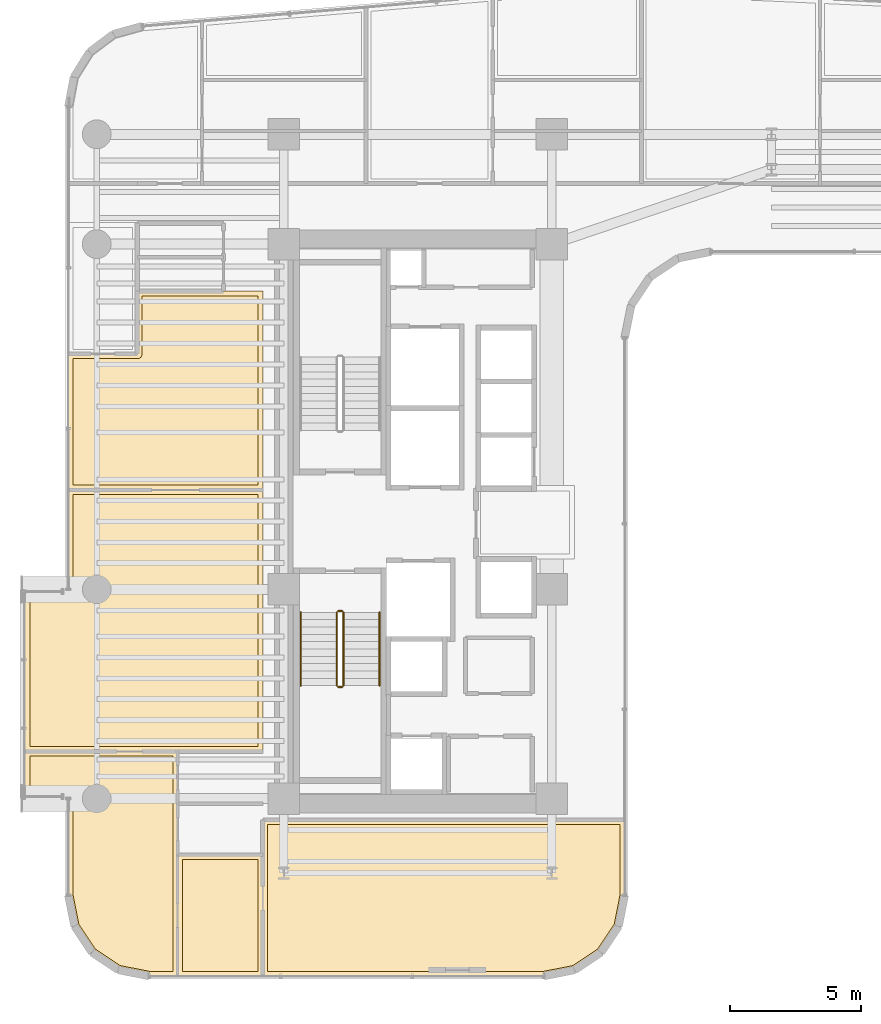
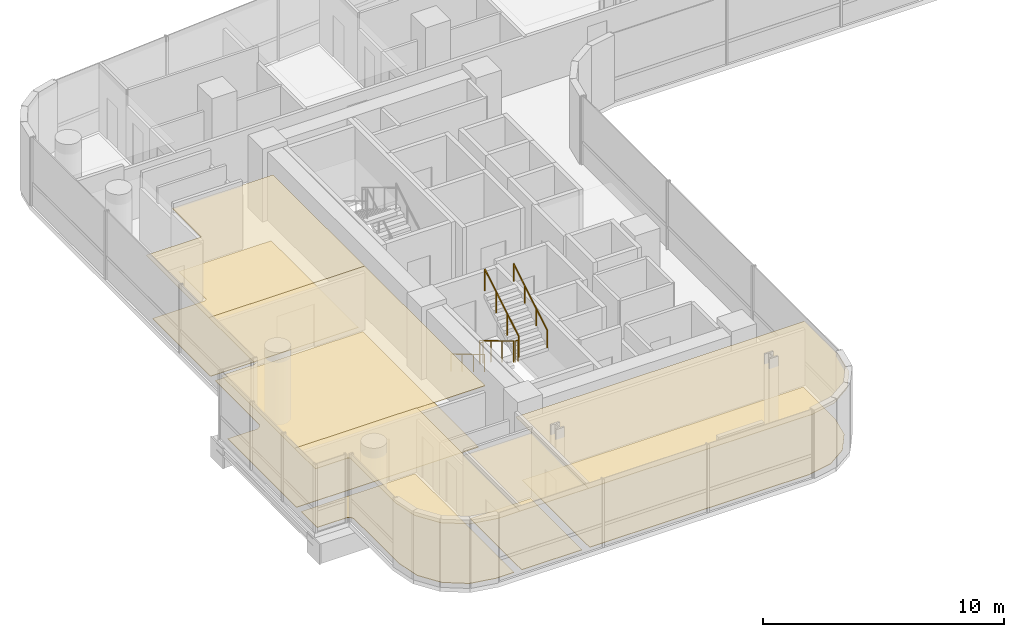
# One storey, part 33 of 37: 10 coverings, 6 railings.
"""IFC4 building model written with IfcOpenShell, lengths in metres."""

from ifc_helpers import new_model, si_unit, direction, frame, origin, origin_2d, place, context, subcontext, project, spatial, polyline, circle, outline, extrude, material, layer, layer_set, type_object, element, save


model = new_model("IFC4")

# Units and contexts
model_context = context("Model", 3, precision=1e-05, world=origin(), true_north=direction((0.0, 1.0)))
body_context = subcontext(model_context, "Body", "Model", "MODEL_VIEW")
ifc_project = project(units=[si_unit("LENGTHUNIT", "METRE"), si_unit("AREAUNIT", "SQUARE_METRE"), si_unit("VOLUMEUNIT", "CUBIC_METRE"), si_unit("PLANEANGLEUNIT", "RADIAN"), si_unit("MASSUNIT", "GRAM", prefix="KILO")], contexts=[model_context])

# Site, building, storey
site_placement = place(None, origin())
site = spatial("IfcSite", under=ifc_project, at=site_placement, CompositionType="ELEMENT")
building_placement = place(site_placement, origin())
building = spatial("IfcBuilding", under=site, at=building_placement, Name="Valdorenza Pilgrim Sanctuary Tower", CompositionType="ELEMENT")
storey_placement = place(building_placement, frame((0.0, 0.0, 127.89990234375)))
storey = spatial("IfcBuildingStorey", under=building, at=storey_placement, Name="L32", CompositionType="ELEMENT", Elevation=127.89990234375)

# Coverings
ifc_material_1 = material(Name="Micro-perforated acoustic mineral ceiling tile", Category="gypsum")
ifc_layer_1 = layer(ifc_material_1, 0.02490234375, Name="Micro-perforated acoustic mineral ceiling tile")
ifc_layer_set_1 = layer_set([ifc_layer_1], Name="Micro-perforated acoustic mineral ceiling tile")
covering_type_1 = type_object("IfcCoveringType", Name="COV-CLG-ACU", PredefinedType="CEILING", material=ifc_layer_set_1)
covering_1_placement = place(storey_placement, frame((0.0, 0.0, 3.16015625)))
element("IfcCovering", 1, at=covering_1_placement, inside=storey, type_object=covering_type_1, Name="L32 Sanctuary Apartment L32-CS1 Bedroom Acoustic Ceiling", PredefinedType="CEILING", context=body_context, shape_type="SweptSolid", body=[
    extrude(outline(polyline([(-26.7236328125, -12.75), (-26.723388671875, -12.74853515625), (-26.723388671875, -12.7470703125), (-26.722900390625, -12.74560546875), (-26.722412109375, -12.744384765625), (-26.7216796875, -12.742919921875), (-26.72119140625, -12.74169921875), (-26.72021484375, -12.740478515625), (-26.71923828125, -12.739501953125), (-26.718017578125, -12.73828125), (-26.716796875, -12.737548828125), (-26.7158203125, -12.73681640625), (-26.71435546875, -12.736083984375), (-26.712890625, -12.735595703125), (-26.71142578125, -12.7353515625), (-26.710205078125, -12.735107421875), (-26.70849609375, -12.735107421875), (-23.449951171875, -12.735107421875), (-23.448486328125, -12.735107421875), (-23.447021484375, -12.7353515625), (-23.445556640625, -12.735595703125), (-23.4443359375, -12.736083984375), (-23.44287109375, -12.73681640625), (-23.441650390625, -12.737548828125), (-23.4404296875, -12.73828125), (-23.439453125, -12.739501953125), (-23.4384765625, -12.740478515625), (-23.4375, -12.74169921875), (-23.436767578125, -12.742919921875), (-23.43603515625, -12.744384765625), (-23.435546875, -12.74560546875), (-23.435302734375, -12.7470703125), (-23.43505859375, -12.74853515625), (-23.43505859375, -12.75), (-23.43505859375, -17.389892578125), (-23.43505859375, -17.3916015625), (-23.435302734375, -17.392822265625), (-23.435546875, -17.394287109375), (-23.43603515625, -17.395751953125), (-23.436767578125, -17.397216796875), (-23.4375, -17.398193359375), (-23.4384765625, -17.3994140625), (-23.439453125, -17.400634765625), (-23.4404296875, -17.401611328125), (-23.441650390625, -17.402587890625), (-23.44287109375, -17.4033203125), (-23.4443359375, -17.40380859375), (-23.445556640625, -17.404296875), (-23.447021484375, -17.40478515625), (-23.448486328125, -17.40478515625), (-23.449951171875, -17.405029296875), (-26.70849609375, -17.405029296875), (-26.710205078125, -17.40478515625), (-26.71142578125, -17.40478515625), (-26.712890625, -17.404296875), (-26.71435546875, -17.40380859375), (-26.7158203125, -17.4033203125), (-26.716796875, -17.402587890625), (-26.718017578125, -17.401611328125), (-26.71923828125, -17.400634765625), (-26.72021484375, -17.3994140625), (-26.72119140625, -17.398193359375), (-26.7216796875, -17.397216796875), (-26.722412109375, -17.395751953125), (-26.722900390625, -17.394287109375), (-26.723388671875, -17.392822265625), (-26.723388671875, -17.3916015625), (-26.7236328125, -17.389892578125), (-26.7236328125, -12.75)])), origin(), (0.0, 0.0, 1.0), 0.02490234375),
])
covering_2_placement = place(storey_placement, frame((0.0, 0.0, 3.16015625)))
element("IfcCovering", 2, at=covering_2_placement, inside=storey, type_object=covering_type_1, Name="L32 Sanctuary Apartment L32-CS1 Living Room Acoustic Ceiling", PredefinedType="CEILING", context=body_context, shape_type="SweptSolid", body=[
    extrude(outline(polyline([(-28.984619140625, -17.16748046875), (-28.986083984375, -17.1669921875), (-28.9873046875, -17.16650390625), (-28.98876953125, -17.166015625), (-28.989990234375, -17.165283203125), (-29.99169921875, -16.495849609375), (-29.992919921875, -16.4951171875), (-29.993896484375, -16.493896484375), (-29.9951171875, -16.492919921875), (-29.995849609375, -16.49169921875), (-30.665283203125, -15.489990234375), (-30.666015625, -15.48876953125), (-30.66650390625, -15.4873046875), (-30.6669921875, -15.486083984375), (-30.66748046875, -15.484619140625), (-30.90478515625, -14.2919921875), (-30.90478515625, -14.29052734375), (-30.905029296875, -14.289306640625), (-30.905029296875, -10.600341796875), (-30.905517578125, -10.5908203125), (-30.90673828125, -10.58154296875), (-30.9091796875, -10.572509765625), (-30.912109375, -10.563720703125), (-30.916259765625, -10.55517578125), (-30.9208984375, -10.547119140625), (-30.926513671875, -10.539794921875), (-30.932861328125, -10.53271484375), (-30.939697265625, -10.526611328125), (-30.947265625, -10.52099609375), (-30.955078125, -10.51611328125), (-30.963623046875, -10.51220703125), (-30.972412109375, -10.509033203125), (-30.9814453125, -10.5068359375), (-30.99072265625, -10.505615234375), (-31.00048828125, -10.5048828125), (-32.5400390625, -10.5048828125), (-32.54150390625, -10.5048828125), (-32.54296875, -10.504638671875), (-32.54443359375, -10.50439453125), (-32.545654296875, -10.50390625), (-32.547119140625, -10.503173828125), (-32.54833984375, -10.50244140625), (-32.549560546875, -10.501708984375), (-32.550537109375, -10.50048828125), (-32.551513671875, -10.49951171875), (-32.552490234375, -10.498291015625), (-32.55322265625, -10.4970703125), (-32.553955078125, -10.49560546875), (-32.554443359375, -10.494384765625), (-32.5546875, -10.492919921875), (-32.554931640625, -10.491455078125), (-32.554931640625, -10.489990234375), (-32.554931640625, -8.800048828125), (-32.554931640625, -8.798583984375), (-32.5546875, -8.797119140625), (-32.554443359375, -8.795654296875), (-32.553955078125, -8.794189453125), (-32.55322265625, -8.79296875), (-32.552490234375, -8.791748046875), (-32.551513671875, -8.79052734375), (-32.550537109375, -8.789306640625), (-32.549560546875, -8.788330078125), (-32.54833984375, -8.78759765625), (-32.547119140625, -8.786865234375), (-32.545654296875, -8.7861328125), (-32.54443359375, -8.78564453125), (-32.54296875, -8.785400390625), (-32.54150390625, -8.78515625), (-32.5400390625, -8.784912109375), (-26.70849609375, -8.784912109375), (-26.70703125, -8.78515625), (-26.705810546875, -8.785400390625), (-26.7041015625, -8.78564453125), (-26.702880859375, -8.7861328125), (-26.701416015625, -8.786865234375), (-26.7001953125, -8.78759765625), (-26.69921875, -8.788330078125), (-26.697998046875, -8.789306640625), (-26.697021484375, -8.79052734375), (-26.696044921875, -8.791748046875), (-26.6953125, -8.79296875), (-26.694580078125, -8.794189453125), (-26.694091796875, -8.795654296875), (-26.69384765625, -8.797119140625), (-26.693603515625, -8.798583984375), (-26.693603515625, -8.800048828125), (-26.693603515625, -12.748046875), (-26.693603515625, -12.74951171875), (-26.69384765625, -12.7509765625), (-26.6943359375, -12.75244140625), (-26.69482421875, -12.75390625), (-26.695556640625, -12.75537109375), (-26.695556640625, -12.755615234375), (-26.695556640625, -17.389892578125), (-26.69580078125, -17.3916015625), (-26.69580078125, -17.392822265625), (-26.6962890625, -17.394287109375), (-26.69677734375, -17.395751953125), (-26.697509765625, -17.397216796875), (-26.697998046875, -17.398193359375), (-26.698974609375, -17.3994140625), (-26.699951171875, -17.400634765625), (-26.701171875, -17.401611328125), (-26.702392578125, -17.402587890625), (-26.70361328125, -17.4033203125), (-26.704833984375, -17.40380859375), (-26.706298828125, -17.404296875), (-26.707763671875, -17.40478515625), (-26.708984375, -17.40478515625), (-26.710693359375, -17.405029296875), (-27.789306640625, -17.405029296875), (-27.79052734375, -17.40478515625), (-27.7919921875, -17.40478515625), (-28.984619140625, -17.16748046875)])), origin(), (0.0, 0.0, 1.0), 0.02490234375),
])
covering_3_placement = place(storey_placement, frame((0.0, 0.0, 3.16015625)))
element("IfcCovering", 3, at=covering_3_placement, inside=storey, type_object=covering_type_1, Name="L32 South Contemplation Salon L32 Acoustic Ceiling", PredefinedType="CEILING", context=body_context, shape_type="SweptSolid", body=[
    extrude(outline(polyline([(-26.71044921875, -8.81298828125), (-32.5400390625, -8.81298828125), (-32.54150390625, -8.81298828125), (-32.54296875, -8.812744140625), (-32.54443359375, -8.8125), (-32.545654296875, -8.81201171875), (-32.547119140625, -8.811279296875), (-32.54833984375, -8.810546875), (-32.549560546875, -8.8095703125), (-32.550537109375, -8.80859375), (-32.551513671875, -8.8076171875), (-32.552490234375, -8.806396484375), (-32.55322265625, -8.80517578125), (-32.553955078125, -8.8037109375), (-32.554443359375, -8.802490234375), (-32.5546875, -8.80078125), (-32.554931640625, -8.799560546875), (-32.554931640625, -8.798095703125), (-32.554931640625, -2.7099609375), (-32.554931640625, -2.70849609375), (-32.5546875, -2.70703125), (-32.554443359375, -2.70556640625), (-32.553955078125, -2.704345703125), (-32.55322265625, -2.702880859375), (-32.552490234375, -2.70166015625), (-32.551513671875, -2.700439453125), (-32.550537109375, -2.699462890625), (-32.549560546875, -2.698486328125), (-32.54833984375, -2.697509765625), (-32.547119140625, -2.69677734375), (-32.545654296875, -2.696044921875), (-32.54443359375, -2.695556640625), (-32.54296875, -2.6953125), (-32.54150390625, -2.695068359375), (-32.5400390625, -2.695068359375), (-31.00048828125, -2.695068359375), (-30.99072265625, -2.694580078125), (-30.9814453125, -2.693115234375), (-30.972412109375, -2.69091796875), (-30.963623046875, -2.687744140625), (-30.955078125, -2.683837890625), (-30.947265625, -2.678955078125), (-30.939697265625, -2.67333984375), (-30.932861328125, -2.667236328125), (-30.926513671875, -2.660400390625), (-30.9208984375, -2.65283203125), (-30.916259765625, -2.644775390625), (-30.912109375, -2.63623046875), (-30.9091796875, -2.627685546875), (-30.90673828125, -2.618408203125), (-30.905517578125, -2.609375), (-30.905029296875, -2.599609375), (-30.905029296875, 1.199951171875), (-30.90478515625, 1.201416015625), (-30.90478515625, 1.202880859375), (-30.904296875, 1.204345703125), (-30.90380859375, 1.205810546875), (-30.9033203125, 1.20703125), (-30.902587890625, 1.208251953125), (-30.901611328125, 1.20947265625), (-30.900634765625, 1.210693359375), (-30.8994140625, 1.211669921875), (-30.898193359375, 1.21240234375), (-30.897216796875, 1.213134765625), (-30.895751953125, 1.2138671875), (-30.894287109375, 1.21435546875), (-30.892822265625, 1.214599609375), (-30.8916015625, 1.21484375), (-30.889892578125, 1.215087890625), (-23.449951171875, 1.215087890625), (-23.448486328125, 1.21484375), (-23.447021484375, 1.214599609375), (-23.445556640625, 1.21435546875), (-23.4443359375, 1.2138671875), (-23.44287109375, 1.213134765625), (-23.441650390625, 1.21240234375), (-23.4404296875, 1.211669921875), (-23.439453125, 1.210693359375), (-23.4384765625, 1.20947265625), (-23.4375, 1.208251953125), (-23.436767578125, 1.20703125), (-23.43603515625, 1.205810546875), (-23.435546875, 1.204345703125), (-23.435302734375, 1.202880859375), (-23.43505859375, 1.201416015625), (-23.43505859375, 1.199951171875), (-23.43505859375, -8.798095703125), (-23.43505859375, -8.799560546875), (-23.435302734375, -8.80078125), (-23.435546875, -8.802490234375), (-23.43603515625, -8.8037109375), (-23.436767578125, -8.80517578125), (-23.4375, -8.806396484375), (-23.4384765625, -8.8076171875), (-23.439453125, -8.80859375), (-23.4404296875, -8.8095703125), (-23.441650390625, -8.810546875), (-23.44287109375, -8.811279296875), (-23.4443359375, -8.81201171875), (-23.445556640625, -8.8125), (-23.447021484375, -8.812744140625), (-23.448486328125, -8.81298828125), (-23.449951171875, -8.81298828125), (-26.704833984375, -8.81298828125), (-26.70556640625, -8.81298828125), (-26.70703125, -8.813232421875), (-26.70849609375, -8.813232421875), (-26.710205078125, -8.81298828125), (-26.71044921875, -8.81298828125)])), origin(), (0.0, 0.0, 1.0), 0.02490234375),
])
covering_4_placement = place(storey_placement, frame((0.0, 0.0, 3.16015625)))
element("IfcCovering", 4, at=covering_4_placement, inside=storey, type_object=covering_type_1, Name="L32 North Contemplation Salon L32 Acoustic Ceiling", PredefinedType="CEILING", context=body_context, shape_type="SweptSolid", body=[
    extrude(outline(polyline([(-28.262939453125, 6.4130859375), (-28.262939453125, 8.798095703125), (-28.262939453125, 8.799560546875), (-28.2626953125, 8.80078125), (-28.262451171875, 8.802490234375), (-28.261962890625, 8.8037109375), (-28.26123046875, 8.80517578125), (-28.260498046875, 8.806396484375), (-28.259521484375, 8.8076171875), (-28.258544921875, 8.80859375), (-28.257568359375, 8.8095703125), (-28.25634765625, 8.810546875), (-28.255126953125, 8.811279296875), (-28.253662109375, 8.81201171875), (-28.25244140625, 8.8125), (-28.2509765625, 8.812744140625), (-28.24951171875, 8.81298828125), (-28.248046875, 8.81298828125), (-24.955322265625, 8.81298828125), (-24.954833984375, 8.813232421875), (-24.95361328125, 8.81396484375), (-24.9521484375, 8.814453125), (-24.95068359375, 8.814697265625), (-24.949462890625, 8.81494140625), (-24.947998046875, 8.81494140625), (-23.449951171875, 8.81494140625), (-23.448486328125, 8.81494140625), (-23.447021484375, 8.814697265625), (-23.445556640625, 8.814453125), (-23.4443359375, 8.81396484375), (-23.44287109375, 8.813232421875), (-23.441650390625, 8.8125), (-23.4404296875, 8.8115234375), (-23.439453125, 8.810546875), (-23.4384765625, 8.8095703125), (-23.4375, 8.808349609375), (-23.436767578125, 8.80712890625), (-23.43603515625, 8.8056640625), (-23.435546875, 8.804443359375), (-23.435302734375, 8.802978515625), (-23.43505859375, 8.801513671875), (-23.43505859375, 8.800048828125), (-23.43505859375, 1.201904296875), (-23.43505859375, 1.200439453125), (-23.435302734375, 1.19921875), (-23.435546875, 1.197509765625), (-23.43603515625, 1.1962890625), (-23.436767578125, 1.19482421875), (-23.4375, 1.193603515625), (-23.4384765625, 1.1923828125), (-23.439453125, 1.19140625), (-23.4404296875, 1.1904296875), (-23.441650390625, 1.189453125), (-23.44287109375, 1.188720703125), (-23.4443359375, 1.18798828125), (-23.445556640625, 1.1875), (-23.447021484375, 1.187255859375), (-23.448486328125, 1.18701171875), (-23.449951171875, 1.18701171875), (-30.889892578125, 1.18701171875), (-30.8916015625, 1.18701171875), (-30.892822265625, 1.187255859375), (-30.894287109375, 1.1875), (-30.895751953125, 1.18798828125), (-30.897216796875, 1.188720703125), (-30.898193359375, 1.189453125), (-30.8994140625, 1.1904296875), (-30.900634765625, 1.19140625), (-30.901611328125, 1.1923828125), (-30.902587890625, 1.193603515625), (-30.9033203125, 1.19482421875), (-30.90380859375, 1.1962890625), (-30.904296875, 1.197509765625), (-30.90478515625, 1.19921875), (-30.90478515625, 1.200439453125), (-30.905029296875, 1.201904296875), (-30.905029296875, 6.39794921875), (-30.90478515625, 6.3994140625), (-30.90478515625, 6.40087890625), (-30.904296875, 6.40234375), (-30.90380859375, 6.40380859375), (-30.9033203125, 6.405029296875), (-30.902587890625, 6.40625), (-30.901611328125, 6.407470703125), (-30.900634765625, 6.40869140625), (-30.8994140625, 6.40966796875), (-30.898193359375, 6.410400390625), (-30.897216796875, 6.4111328125), (-30.895751953125, 6.411865234375), (-30.894287109375, 6.412353515625), (-30.892822265625, 6.41259765625), (-30.8916015625, 6.412841796875), (-30.889892578125, 6.4130859375), (-28.262939453125, 6.4130859375)])), origin(), (0.0, 0.0, 1.0), 0.02490234375),
])
covering_5_placement = place(storey_placement, frame((0.0, 0.0, 3.16015625)))
element("IfcCovering", 5, at=covering_5_placement, inside=storey, type_object=covering_type_1, Name="L32 South Panoramic Viewing Salon L32 Acoustic Ceiling", PredefinedType="CEILING", context=body_context, shape_type="SweptSolid", body=[
    extrude(outline(polyline([(-23.462890625, -12.751708984375), (-23.463134765625, -12.751220703125), (-23.46337890625, -12.74951171875), (-23.463134765625, -12.748046875), (-23.463134765625, -12.74658203125), (-23.462890625, -12.74609375), (-23.462890625, -11.419921875), (-23.462890625, -11.41845703125), (-23.462646484375, -11.4169921875), (-23.46240234375, -11.41552734375), (-23.4619140625, -11.414306640625), (-23.461181640625, -11.412841796875), (-23.46044921875, -11.41162109375), (-23.459716796875, -11.410400390625), (-23.45849609375, -11.409423828125), (-23.45751953125, -11.408447265625), (-23.456298828125, -11.407470703125), (-23.455078125, -11.40673828125), (-23.45361328125, -11.406005859375), (-23.452392578125, -11.405517578125), (-23.450927734375, -11.4052734375), (-23.449462890625, -11.405029296875), (-23.447998046875, -11.405029296875), (-9.610107421875, -11.405029296875), (-9.6083984375, -11.405029296875), (-9.607177734375, -11.4052734375), (-9.605712890625, -11.405517578125), (-9.604248046875, -11.406005859375), (-9.602783203125, -11.40673828125), (-9.601806640625, -11.407470703125), (-9.6005859375, -11.408447265625), (-9.599365234375, -11.409423828125), (-9.598388671875, -11.410400390625), (-9.597412109375, -11.41162109375), (-9.5966796875, -11.412841796875), (-9.59619140625, -11.414306640625), (-9.595703125, -11.41552734375), (-9.59521484375, -11.4169921875), (-9.59521484375, -11.41845703125), (-9.594970703125, -11.419921875), (-9.594970703125, -14.289306640625), (-9.59521484375, -14.29052734375), (-9.59521484375, -14.2919921875), (-9.83251953125, -15.484619140625), (-9.8330078125, -15.486083984375), (-9.83349609375, -15.4873046875), (-9.833984375, -15.48876953125), (-9.834716796875, -15.489990234375), (-10.504150390625, -16.49169921875), (-10.5048828125, -16.492919921875), (-10.506103515625, -16.493896484375), (-10.507080078125, -16.4951171875), (-10.50830078125, -16.495849609375), (-11.510009765625, -17.165283203125), (-11.51123046875, -17.166015625), (-11.5126953125, -17.16650390625), (-11.513916015625, -17.1669921875), (-11.515380859375, -17.16748046875), (-12.7080078125, -17.40478515625), (-12.70947265625, -17.40478515625), (-12.710693359375, -17.405029296875), (-23.447998046875, -17.405029296875), (-23.449462890625, -17.40478515625), (-23.450927734375, -17.40478515625), (-23.452392578125, -17.404296875), (-23.45361328125, -17.40380859375), (-23.455078125, -17.4033203125), (-23.456298828125, -17.402587890625), (-23.45751953125, -17.401611328125), (-23.45849609375, -17.400634765625), (-23.459716796875, -17.3994140625), (-23.46044921875, -17.398193359375), (-23.461181640625, -17.397216796875), (-23.4619140625, -17.395751953125), (-23.46240234375, -17.394287109375), (-23.462646484375, -17.392822265625), (-23.462890625, -17.3916015625), (-23.462890625, -17.389892578125), (-23.462890625, -12.751708984375)])), origin(), (0.0, 0.0, 1.0), 0.02490234375),
])
ifc_material_2 = material(Name="Engineered European oak timber flooring", Category="wood")
ifc_layer_2 = layer(ifc_material_2, 0.02197265625, Name="Engineered European oak timber flooring")
ifc_layer_set_2 = layer_set([ifc_layer_2], Name="Engineered European oak timber flooring")
covering_type_2 = type_object("IfcCoveringType", Name="COV-FLR-OAK", PredefinedType="FLOORING", material=ifc_layer_set_2)
covering_6_placement = place(storey_placement, origin())
element("IfcCovering", 6, at=covering_6_placement, inside=storey, type_object=covering_type_2, Name="L32 Sanctuary Apartment L32-CS1 Bedroom Flooring", PredefinedType="FLOORING", context=body_context, shape_type="SweptSolid", body=[
    extrude(outline(polyline([(-26.528564453125, -12.929931640625), (-23.6298828125, -12.929931640625), (-23.6298828125, -17.2099609375), (-26.528564453125, -17.2099609375), (-26.528564453125, -12.929931640625)])), origin(), (0.0, 0.0, 1.0), 0.025146484375),
])
covering_7_placement = place(storey_placement, origin())
element("IfcCovering", 7, at=covering_7_placement, inside=storey, type_object=covering_type_2, Name="L32 Sanctuary Apartment L32-CS1 Living Room Flooring", PredefinedType="FLOORING", context=body_context, shape_type="SweptSolid", body=[
    extrude(outline(polyline([(-28.911376953125, -16.983154296875), (-29.853515625, -16.353515625), (-30.483154296875, -15.411376953125), (-30.7099609375, -14.271484375), (-30.7099609375, -10.60009765625), (-30.710205078125, -10.59130859375), (-30.710693359375, -10.580322265625), (-30.71240234375, -10.562744140625), (-30.714111328125, -10.552001953125), (-30.717529296875, -10.534912109375), (-30.72021484375, -10.5244140625), (-30.725341796875, -10.50732421875), (-30.72900390625, -10.497314453125), (-30.735595703125, -10.48095703125), (-30.740234375, -10.47119140625), (-30.74853515625, -10.45556640625), (-30.754150390625, -10.4462890625), (-30.763916015625, -10.431640625), (-30.7705078125, -10.423095703125), (-30.781494140625, -10.4091796875), (-30.788818359375, -10.4013671875), (-30.80126953125, -10.388916015625), (-30.809326171875, -10.381591796875), (-30.822998046875, -10.370361328125), (-30.831787109375, -10.364013671875), (-30.84619140625, -10.35400390625), (-30.855712890625, -10.3486328125), (-30.87109375, -10.34033203125), (-30.880859375, -10.335693359375), (-30.897216796875, -10.328857421875), (-30.907470703125, -10.3251953125), (-30.92431640625, -10.320068359375), (-30.934814453125, -10.3173828125), (-30.9521484375, -10.314208984375), (-30.962890625, -10.3125), (-30.98046875, -10.310791015625), (-30.9912109375, -10.310302734375), (-31.0, -10.31005859375), (-32.360107421875, -10.31005859375), (-32.360107421875, -8.97998046875), (-26.888671875, -8.97998046875), (-26.888671875, -12.72314453125), (-26.888671875, -12.72314453125), (-26.888671875, -12.723388671875), (-26.890380859375, -12.740966796875), (-26.890380859375, -12.7412109375), (-26.890625, -12.75), (-26.890625, -17.2099609375), (-27.771484375, -17.2099609375), (-28.911376953125, -16.983154296875)])), origin(), (0.0, 0.0, 1.0), 0.025146484375),
])
ifc_material_3 = material(Name="Honed travertine stone flooring", Category="masonry")
ifc_layer_3 = layer(ifc_material_3, 0.030029296875, Name="Honed travertine stone flooring")
ifc_layer_set_3 = layer_set([ifc_layer_3], Name="Honed travertine stone flooring")
covering_type_3 = type_object("IfcCoveringType", Name="COV-FLR-TRV", PredefinedType="FLOORING", material=ifc_layer_set_3)
covering_8_placement = place(storey_placement, origin())
element("IfcCovering", 8, at=covering_8_placement, inside=storey, type_object=covering_type_3, Name="L32 South Contemplation Salon L32 Flooring", PredefinedType="FLOORING", context=body_context, shape_type="SweptSolid", body=[
    extrude(outline(polyline([(-26.708251953125, -8.617919921875), (-26.70849609375, -8.617919921875), (-32.360107421875, -8.617919921875), (-32.360107421875, -2.889892578125), (-31.0, -2.889892578125), (-30.9912109375, -2.889892578125), (-30.98046875, -2.889404296875), (-30.962890625, -2.887451171875), (-30.9521484375, -2.885986328125), (-30.934814453125, -2.882568359375), (-30.92431640625, -2.8798828125), (-30.907470703125, -2.874755859375), (-30.897216796875, -2.87109375), (-30.880859375, -2.8642578125), (-30.87109375, -2.859619140625), (-30.855712890625, -2.851318359375), (-30.84619140625, -2.845947265625), (-30.831787109375, -2.8359375), (-30.822998046875, -2.82958984375), (-30.809326171875, -2.818359375), (-30.80126953125, -2.811279296875), (-30.788818359375, -2.798583984375), (-30.781494140625, -2.790771484375), (-30.7705078125, -2.777099609375), (-30.763916015625, -2.768310546875), (-30.754150390625, -2.753662109375), (-30.74853515625, -2.744384765625), (-30.740234375, -2.728759765625), (-30.735595703125, -2.718994140625), (-30.72900390625, -2.70263671875), (-30.725341796875, -2.692626953125), (-30.72021484375, -2.67578125), (-30.717529296875, -2.665283203125), (-30.714111328125, -2.64794921875), (-30.71240234375, -2.63720703125), (-30.710693359375, -2.61962890625), (-30.710205078125, -2.60888671875), (-30.7099609375, -2.60009765625), (-30.7099609375, 1.02001953125), (-23.6298828125, 1.02001953125), (-23.6298828125, -8.617919921875), (-26.70654296875, -8.617919921875), (-26.70751953125, -8.617919921875), (-26.708251953125, -8.617919921875)])), origin(), (0.0, 0.0, 1.0), 0.025146484375),
])
covering_9_placement = place(storey_placement, origin())
element("IfcCovering", 9, at=covering_9_placement, inside=storey, type_object=covering_type_3, Name="L32 North Contemplation Salon L32 Flooring", PredefinedType="FLOORING", context=body_context, shape_type="SweptSolid", body=[
    extrude(outline(polyline([(-23.6298828125, 8.619873046875), (-23.6298828125, 1.382080078125), (-30.7099609375, 1.382080078125), (-30.7099609375, 6.218017578125), (-28.25, 6.218017578125), (-28.2412109375, 6.21826171875), (-28.240966796875, 6.21826171875), (-28.223388671875, 6.219970703125), (-28.22314453125, 6.219970703125), (-28.205810546875, 6.223388671875), (-28.205810546875, 6.223388671875), (-28.188720703125, 6.228515625), (-28.188720703125, 6.228759765625), (-28.17236328125, 6.2353515625), (-28.172119140625, 6.235595703125), (-28.156494140625, 6.243896484375), (-28.156494140625, 6.243896484375), (-28.1416015625, 6.25390625), (-28.1416015625, 6.25390625), (-28.1279296875, 6.26513671875), (-28.127685546875, 6.26513671875), (-28.115234375, 6.277587890625), (-28.114990234375, 6.27783203125), (-28.10400390625, 6.29150390625), (-28.103759765625, 6.291748046875), (-28.093994140625, 6.306396484375), (-28.09375, 6.306396484375), (-28.08544921875, 6.322021484375), (-28.08544921875, 6.322265625), (-28.07861328125, 6.338623046875), (-28.07861328125, 6.3388671875), (-28.073486328125, 6.355712890625), (-28.073486328125, 6.35595703125), (-28.070068359375, 6.373291015625), (-28.070068359375, 6.373291015625), (-28.068115234375, 6.39111328125), (-28.068115234375, 6.39111328125), (-28.068115234375, 6.39990234375), (-28.068115234375, 8.617919921875), (-24.949951171875, 8.617919921875), (-24.94970703125, 8.617919921875), (-23.6298828125, 8.619873046875)])), origin(), (0.0, 0.0, 1.0), 0.025146484375),
])
covering_10_placement = place(storey_placement, origin())
element("IfcCovering", 10, at=covering_10_placement, inside=storey, type_object=covering_type_3, Name="L32 South Panoramic Viewing Salon L32 Flooring", PredefinedType="FLOORING", context=body_context, shape_type="SweptSolid", body=[
    extrude(outline(polyline([(-23.26806640625, -12.748291015625), (-23.26806640625, -12.748046875), (-23.26806640625, -11.60009765625), (-9.7900390625, -11.60009765625), (-9.7900390625, -14.271484375), (-10.016845703125, -15.411376953125), (-10.646484375, -16.353515625), (-11.588623046875, -16.983154296875), (-12.728515625, -17.2099609375), (-23.26806640625, -17.2099609375), (-23.26806640625, -12.75), (-23.26806640625, -12.7490234375), (-23.26806640625, -12.748291015625)])), origin(), (0.0, 0.0, 1.0), 0.025146484375),
])

# Railings
ifc_material_4 = material(Name="Stainless steel Grade 316", Category="steel")
railing_type_1 = type_object("IfcRailingType", Name="RLG-GRD-1120", PredefinedType="GUARDRAIL", material=ifc_material_4)
railing_1_placement = place(storey_placement, frame((-20.6201171875, -3.47998046875, 0.168212890625)))
element("IfcRailing", 11, at=railing_1_placement, inside=storey, type_object=railing_type_1, Name="L32 ST-A2 stair guard 1", PredefinedType="GUARDRAIL", context=body_context, shape_type="SweptSolid", body=[
    extrude(circle(Radius=0.02392578125, at=origin_2d()), frame((0.0, 0.0, 1.076171875), z_axis=(0.0, -0.857242210791, 0.514913383045), x_axis=(1.0, 0.0, 0.0)), (0.0, 0.0, 1.0), 3.266357421875),
    extrude(circle(Radius=0.02099609375, at=origin_2d()), origin(), (0.0, 0.0, 1.0), 1.052001953125),
    extrude(circle(Radius=0.02099609375, at=origin_2d()), frame((0.0, -0.933349609375, 0.560546875)), (0.0, 0.0, 1.0), 1.052001953125),
    extrude(circle(Radius=0.02099609375, at=origin_2d()), frame((0.0, -1.86669921875, 1.121337890625)), (0.0, 0.0, 1.0), 1.052001953125),
    extrude(circle(Radius=0.02099609375, at=origin_2d()), frame((0.0, -2.800048828125, 1.681884765625)), (0.0, 0.0, 1.0), 1.052001953125),
])
railing_2_placement = place(storey_placement, frame((-20.570068359375, -6.330078125, 1.85009765625)))
element("IfcRailing", 12, at=railing_2_placement, inside=storey, type_object=railing_type_1, Name="L32 ST-A2 stair guard 2", PredefinedType="GUARDRAIL", context=body_context, shape_type="SweptSolid", body=[
    extrude(circle(Radius=0.02392578125, at=origin_2d()), frame((0.0, 0.0, 1.076171875), z_axis=(1.0, 0.0, 0.0), x_axis=(0.0, 1.0, 0.0)), (0.0, 0.0, 1.0), 0.150146484375),
    extrude(circle(Radius=0.02099609375, at=origin_2d()), origin(), (0.0, 0.0, 1.0), 1.052001953125),
    extrude(circle(Radius=0.02099609375, at=origin_2d()), frame((0.150146484375, 0.0, 0.0)), (0.0, 0.0, 1.0), 1.052001953125),
])
railing_3_placement = place(storey_placement, frame((-20.3701171875, -6.280029296875, 2.018310546875)))
element("IfcRailing", 13, at=railing_3_placement, inside=storey, type_object=railing_type_1, Name="L32 ST-A2 stair guard 3", PredefinedType="GUARDRAIL", context=body_context, shape_type="SweptSolid", body=[
    extrude(circle(Radius=0.02392578125, at=origin_2d()), frame((0.0, 0.0, 1.076171875), z_axis=(0.0, 0.857242210791, 0.514913383045), x_axis=(-1.0, 0.0, 0.0)), (0.0, 0.0, 1.0), 3.266357421875),
    extrude(circle(Radius=0.02099609375, at=origin_2d()), origin(), (0.0, 0.0, 1.0), 1.052001953125),
    extrude(circle(Radius=0.02099609375, at=origin_2d()), frame((0.0, 0.933349609375, 0.560546875)), (0.0, 0.0, 1.0), 1.052001953125),
    extrude(circle(Radius=0.02099609375, at=origin_2d()), frame((0.0, 1.86669921875, 1.121337890625)), (0.0, 0.0, 1.0), 1.052001953125),
    extrude(circle(Radius=0.02099609375, at=origin_2d()), frame((0.0, 2.800048828125, 1.681884765625)), (0.0, 0.0, 1.0), 1.052001953125),
])
railing_4_placement = place(storey_placement, frame((-20.570068359375, -3.429931640625, 0.0)))
element("IfcRailing", 14, at=railing_4_placement, inside=storey, type_object=railing_type_1, Name="L32 ST-A2 stair guard 4", PredefinedType="GUARDRAIL", context=body_context, shape_type="SweptSolid", body=[
    extrude(circle(Radius=0.02392578125, at=origin_2d()), frame((0.0, 0.0, 1.076171875), z_axis=(1.0, 0.0, 0.0), x_axis=(0.0, 1.0, 0.0)), (0.0, 0.0, 1.0), 0.150146484375),
    extrude(circle(Radius=0.02099609375, at=origin_2d()), origin(), (0.0, 0.0, 1.0), 1.052001953125),
    extrude(circle(Radius=0.02099609375, at=origin_2d()), frame((0.150146484375, 0.0, 0.0)), (0.0, 0.0, 1.0), 1.052001953125),
])
ifc_material_5 = material(Name="Brushed stainless steel Grade 316", Category="steel")
railing_type_2 = type_object("IfcRailingType", Name="RLG-HND-920", PredefinedType="HANDRAIL", material=ifc_material_5)
railing_5_placement = place(storey_placement, frame((-22.0, -3.47998046875, 0.168212890625)))
element("IfcRailing", 15, at=railing_5_placement, inside=storey, type_object=railing_type_2, Name="L32 ST-A2 stair handrail 1", PredefinedType="HANDRAIL", context=body_context, shape_type="SweptSolid", body=[
    extrude(circle(Radius=0.02392578125, at=origin_2d()), frame((0.0, 0.0, 0.8759765625), z_axis=(0.0, -0.857242210791, 0.514913383045), x_axis=(1.0, 0.0, 0.0)), (0.0, 0.0, 1.0), 3.266357421875),
    extrude(circle(Radius=0.02099609375, at=origin_2d()), origin(), (0.0, 0.0, 1.0), 0.851806640625),
    extrude(circle(Radius=0.02099609375, at=origin_2d()), frame((0.0, -0.933349609375, 0.560546875)), (0.0, 0.0, 1.0), 0.851806640625),
    extrude(circle(Radius=0.02099609375, at=origin_2d()), frame((0.0, -1.86669921875, 1.121337890625)), (0.0, 0.0, 1.0), 0.851806640625),
    extrude(circle(Radius=0.02099609375, at=origin_2d()), frame((0.0, -2.800048828125, 1.681884765625)), (0.0, 0.0, 1.0), 0.851806640625),
])
railing_6_placement = place(storey_placement, frame((-18.989990234375, -6.280029296875, 2.018310546875)))
element("IfcRailing", 16, at=railing_6_placement, inside=storey, type_object=railing_type_2, Name="L32 ST-A2 stair handrail 2", PredefinedType="HANDRAIL", context=body_context, shape_type="SweptSolid", body=[
    extrude(circle(Radius=0.02392578125, at=origin_2d()), frame((0.0, 0.0, 0.8759765625), z_axis=(0.0, 0.857242210791, 0.514913383045), x_axis=(-1.0, 0.0, 0.0)), (0.0, 0.0, 1.0), 3.266357421875),
    extrude(circle(Radius=0.02099609375, at=origin_2d()), origin(), (0.0, 0.0, 1.0), 0.851806640625),
    extrude(circle(Radius=0.02099609375, at=origin_2d()), frame((0.0, 0.933349609375, 0.560546875)), (0.0, 0.0, 1.0), 0.851806640625),
    extrude(circle(Radius=0.02099609375, at=origin_2d()), frame((0.0, 1.86669921875, 1.121337890625)), (0.0, 0.0, 1.0), 0.851806640625),
    extrude(circle(Radius=0.02099609375, at=origin_2d()), frame((0.0, 2.800048828125, 1.681884765625)), (0.0, 0.0, 1.0), 0.851806640625),
])

save(model, "model.ifc")
